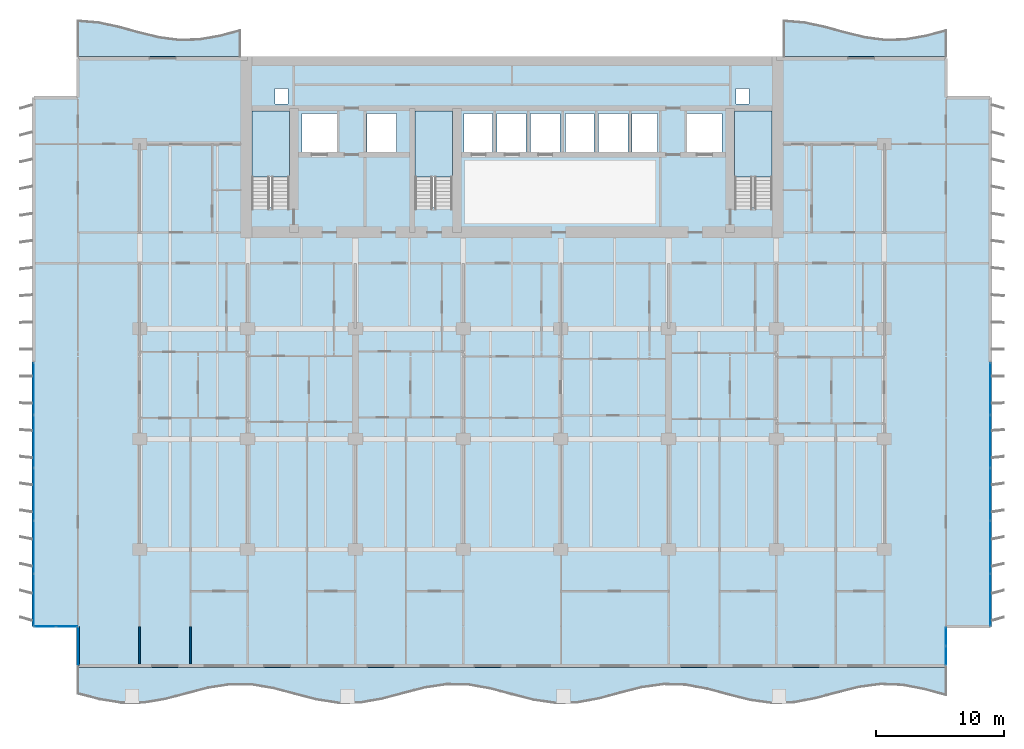
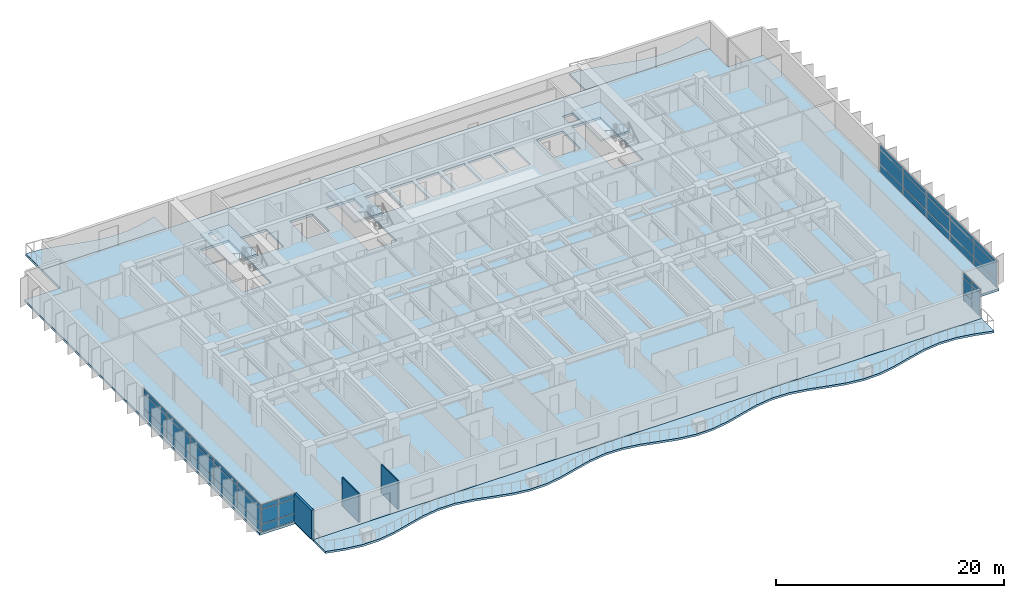
# One storey, part 5 of 17: 42 plates, 7 slabs, 3 walls, 7 elements without a shape of their own.
"""IFC4 building model written with IfcOpenShell, lengths in metres."""

from ifc_helpers import new_model, si_unit, direction, frame, frame_2d, origin, origin_2d, place, context, subcontext, project, spatial, polyline, rectangle, outline, extrude, material, layer, layer_set, type_object, element, aggregate, save


model = new_model("IFC4")

# Units and contexts
model_context = context("Model", 3, precision=1e-05, world=origin(), true_north=direction((0.0, 1.0)))
body_context = subcontext(model_context, "Body", "Model", "MODEL_VIEW")
ifc_project = project(units=[si_unit("LENGTHUNIT", "METRE"), si_unit("AREAUNIT", "SQUARE_METRE"), si_unit("VOLUMEUNIT", "CUBIC_METRE"), si_unit("PLANEANGLEUNIT", "RADIAN"), si_unit("MASSUNIT", "GRAM", prefix="KILO")], contexts=[model_context])

# Site, building, storey
site_placement = place(None, origin())
site = spatial("IfcSite", under=ifc_project, at=site_placement, CompositionType="ELEMENT")
building_placement = place(site_placement, origin())
building = spatial("IfcBuilding", under=site, at=building_placement, Name="Caelmar Bay Residences", CompositionType="ELEMENT")
storey_placement = place(building_placement, frame((0.0, 0.0, 30.0)))
storey = spatial("IfcBuildingStorey", under=building, at=storey_placement, Name="L06", CompositionType="ELEMENT", Elevation=30.0)

# Curtain wall, plates
ifc_material_1 = material(Name="Anodised bronze aluminium 6063-T6 and laminated glass", Category="aluminium")
ifc_layer_1 = layer(ifc_material_1, 0.179931640625)
ifc_layer_set_1 = layer_set([ifc_layer_1], Name="Anodised bronze aluminium 6063-T6 and laminated glass")
curtain_wall_type_1 = type_object("IfcCurtainWallType", Name="CW6-NTC", PredefinedType="NOTDEFINED", material=ifc_layer_set_1)
curtain_wall_1_placement = place(storey_placement, origin())
curtain_wall_1 = element("IfcCurtainWall", 1, at=curtain_wall_1_placement, inside=storey, type_object=curtain_wall_type_1, Name="CW6 curtain wall L06", PredefinedType="NOTDEFINED")
ifc_material_2 = material(Name="Bronze-tinted laminated low-E hurricane glass 28 mm", Category="glass")
ifc_layer_2 = layer(ifc_material_2, 0.028076171875)
ifc_layer_set_2 = layer_set([ifc_layer_2], Name="Bronze-tinted laminated low-E hurricane glass 28 mm")
plate_type = type_object("IfcPlateType", Name="CWP-GLZ28", PredefinedType="CURTAIN_PANEL", material=ifc_layer_set_2)
plate_1_placement = place(storey_placement, frame((2.532470703125, 6.199951171875, 0.080078125), z_axis=(0.0, 0.0, 1.0), x_axis=(1.0, 0.0, 0.0)))
plate_1 = element("IfcPlate", 2, at=plate_1_placement, type_object=plate_type, Name="CW6 panel 1.1", PredefinedType="CURTAIN_PANEL", context=body_context, shape_type="SweptSolid", body=[
    extrude(rectangle(XDim=1.60498046875, YDim=0.028076171875, at=origin_2d()), origin(), (0.0, 0.0, 1.0), 0.780029296875),
])
plate_2_placement = place(storey_placement, frame((2.532470703125, 6.199951171875, 0.93994140625), z_axis=(0.0, 0.0, 1.0), x_axis=(1.0, 0.0, 0.0)))
plate_2 = element("IfcPlate", 3, at=plate_2_placement, type_object=plate_type, Name="CW6 panel 1.2", PredefinedType="CURTAIN_PANEL", context=body_context, shape_type="SweptSolid", body=[
    extrude(rectangle(XDim=1.60498046875, YDim=0.028076171875, at=origin_2d()), origin(), (0.0, 0.0, 1.0), 1.52001953125),
])
plate_3_placement = place(storey_placement, frame((2.532470703125, 6.199951171875, 2.5400390625), z_axis=(0.0, 0.0, 1.0), x_axis=(1.0, 0.0, 0.0)))
plate_3 = element("IfcPlate", 4, at=plate_3_placement, type_object=plate_type, Name="CW6 panel 1.3", PredefinedType="CURTAIN_PANEL", context=body_context, shape_type="SweptSolid", body=[
    extrude(rectangle(XDim=1.60498046875, YDim=0.028076171875, at=origin_2d()), origin(), (0.0, 0.0, 1.0), 0.429931640625),
])
plate_4_placement = place(storey_placement, frame((4.217529296875, 6.199951171875, 0.080078125), z_axis=(0.0, 0.0, 1.0), x_axis=(1.0, 0.0, 0.0)))
plate_4 = element("IfcPlate", 5, at=plate_4_placement, type_object=plate_type, Name="CW6 panel 2.1", PredefinedType="CURTAIN_PANEL", context=body_context, shape_type="SweptSolid", body=[
    extrude(rectangle(XDim=1.60498046875, YDim=0.028076171875, at=origin_2d()), origin(), (0.0, 0.0, 1.0), 0.780029296875),
])
plate_5_placement = place(storey_placement, frame((4.217529296875, 6.199951171875, 0.93994140625), z_axis=(0.0, 0.0, 1.0), x_axis=(1.0, 0.0, 0.0)))
plate_5 = element("IfcPlate", 6, at=plate_5_placement, type_object=plate_type, Name="CW6 panel 2.2", PredefinedType="CURTAIN_PANEL", context=body_context, shape_type="SweptSolid", body=[
    extrude(rectangle(XDim=1.60498046875, YDim=0.028076171875, at=origin_2d()), origin(), (0.0, 0.0, 1.0), 1.52001953125),
])
plate_6_placement = place(storey_placement, frame((4.217529296875, 6.199951171875, 2.5400390625), z_axis=(0.0, 0.0, 1.0), x_axis=(1.0, 0.0, 0.0)))
plate_6 = element("IfcPlate", 7, at=plate_6_placement, type_object=plate_type, Name="CW6 panel 2.3", PredefinedType="CURTAIN_PANEL", context=body_context, shape_type="SweptSolid", body=[
    extrude(rectangle(XDim=1.60498046875, YDim=0.028076171875, at=origin_2d()), origin(), (0.0, 0.0, 1.0), 0.429931640625),
])
aggregate(curtain_wall_1, [plate_1, plate_2, plate_3, plate_4, plate_5, plate_6])

curtain_wall_2_placement = place(storey_placement, origin())
curtain_wall_2 = element("IfcCurtainWall", 8, at=curtain_wall_2_placement, inside=storey, type_object=curtain_wall_type_1, Name="CW6 curtain wall L06", PredefinedType="NOTDEFINED")
plate_7_placement = place(storey_placement, frame((72.699951171875, 3.9326171875, 0.080078125), z_axis=(0.0, 0.0, 1.0), x_axis=(0.0, 1.0, 0.0)))
plate_7 = element("IfcPlate", 9, at=plate_7_placement, type_object=plate_type, Name="CW6 panel 1.1", PredefinedType="CURTAIN_PANEL", context=body_context, shape_type="SweptSolid", body=[
    extrude(rectangle(XDim=1.405029296875, YDim=0.028076171875, at=origin_2d()), origin(), (0.0, 0.0, 1.0), 0.780029296875),
])
plate_8_placement = place(storey_placement, frame((72.699951171875, 3.9326171875, 0.93994140625), z_axis=(0.0, 0.0, 1.0), x_axis=(0.0, 1.0, 0.0)))
plate_8 = element("IfcPlate", 10, at=plate_8_placement, type_object=plate_type, Name="CW6 panel 1.2", PredefinedType="CURTAIN_PANEL", context=body_context, shape_type="SweptSolid", body=[
    extrude(rectangle(XDim=1.405029296875, YDim=0.028076171875, at=origin_2d()), origin(), (0.0, 0.0, 1.0), 1.52001953125),
])
plate_9_placement = place(storey_placement, frame((72.699951171875, 3.9326171875, 2.5400390625), z_axis=(0.0, 0.0, 1.0), x_axis=(0.0, 1.0, 0.0)))
plate_9 = element("IfcPlate", 11, at=plate_9_placement, type_object=plate_type, Name="CW6 panel 1.3", PredefinedType="CURTAIN_PANEL", context=body_context, shape_type="SweptSolid", body=[
    extrude(rectangle(XDim=1.405029296875, YDim=0.028076171875, at=origin_2d()), origin(), (0.0, 0.0, 1.0), 0.429931640625),
])
plate_10_placement = place(storey_placement, frame((72.699951171875, 5.41748046875, 0.080078125), z_axis=(0.0, 0.0, 1.0), x_axis=(0.0, 1.0, 0.0)))
plate_10 = element("IfcPlate", 12, at=plate_10_placement, type_object=plate_type, Name="CW6 panel 2.1", PredefinedType="CURTAIN_PANEL", context=body_context, shape_type="SweptSolid", body=[
    extrude(rectangle(XDim=1.405029296875, YDim=0.028076171875, at=origin_2d()), origin(), (0.0, 0.0, 1.0), 0.780029296875),
])
plate_11_placement = place(storey_placement, frame((72.699951171875, 5.41748046875, 0.93994140625), z_axis=(0.0, 0.0, 1.0), x_axis=(0.0, 1.0, 0.0)))
plate_11 = element("IfcPlate", 13, at=plate_11_placement, type_object=plate_type, Name="CW6 panel 2.2", PredefinedType="CURTAIN_PANEL", context=body_context, shape_type="SweptSolid", body=[
    extrude(rectangle(XDim=1.405029296875, YDim=0.028076171875, at=origin_2d()), origin(), (0.0, 0.0, 1.0), 1.52001953125),
])
plate_12_placement = place(storey_placement, frame((72.699951171875, 5.41748046875, 2.5400390625), z_axis=(0.0, 0.0, 1.0), x_axis=(0.0, 1.0, 0.0)))
plate_12 = element("IfcPlate", 14, at=plate_12_placement, type_object=plate_type, Name="CW6 panel 2.3", PredefinedType="CURTAIN_PANEL", context=body_context, shape_type="SweptSolid", body=[
    extrude(rectangle(XDim=1.405029296875, YDim=0.028076171875, at=origin_2d()), origin(), (0.0, 0.0, 1.0), 0.429931640625),
])
aggregate(curtain_wall_2, [plate_7, plate_8, plate_9, plate_10, plate_11, plate_12])

ifc_layer_3 = layer(ifc_material_1, 0.179931640625)
ifc_layer_set_3 = layer_set([ifc_layer_3], Name="Anodised bronze aluminium 6063-T6 and laminated glass")
curtain_wall_type_2 = type_object("IfcCurtainWallType", Name="CW2-Z1", PredefinedType="NOTDEFINED", material=ifc_layer_set_3)
curtain_wall_3_placement = place(storey_placement, origin())
curtain_wall_3 = element("IfcCurtainWall", 15, at=curtain_wall_3_placement, inside=storey, type_object=curtain_wall_type_2, Name="CW2 curtain wall L06", PredefinedType="NOTDEFINED")
plate_13_placement = place(storey_placement, frame((1.64990234375, 8.280029296875, 0.080078125), z_axis=(0.0, 0.0, 1.0), x_axis=(0.0, 1.0, 0.0)))
plate_13 = element("IfcPlate", 16, at=plate_13_placement, type_object=plate_type, Name="CW2 panel 1.1", PredefinedType="CURTAIN_PANEL", context=body_context, shape_type="SweptSolid", body=[
    extrude(rectangle(XDim=4.0, YDim=0.028076171875, at=origin_2d()), origin(), (0.0, 0.0, 1.0), 0.780029296875),
])
plate_14_placement = place(storey_placement, frame((1.64990234375, 8.280029296875, 0.93994140625), z_axis=(0.0, 0.0, 1.0), x_axis=(0.0, 1.0, 0.0)))
plate_14 = element("IfcPlate", 17, at=plate_14_placement, type_object=plate_type, Name="CW2 panel 1.2", PredefinedType="CURTAIN_PANEL", context=body_context, shape_type="SweptSolid", body=[
    extrude(rectangle(XDim=4.0, YDim=0.028076171875, at=origin_2d()), origin(), (0.0, 0.0, 1.0), 1.52001953125),
])
plate_15_placement = place(storey_placement, frame((1.64990234375, 8.280029296875, 2.5400390625), z_axis=(0.0, 0.0, 1.0), x_axis=(0.0, 1.0, 0.0)))
plate_15 = element("IfcPlate", 18, at=plate_15_placement, type_object=plate_type, Name="CW2 panel 1.3", PredefinedType="CURTAIN_PANEL", context=body_context, shape_type="SweptSolid", body=[
    extrude(rectangle(XDim=4.0, YDim=0.028076171875, at=origin_2d()), origin(), (0.0, 0.0, 1.0), 0.429931640625),
])
plate_16_placement = place(storey_placement, frame((1.64990234375, 12.3798828125, 0.080078125), z_axis=(0.0, 0.0, 1.0), x_axis=(0.0, 1.0, 0.0)))
plate_16 = element("IfcPlate", 19, at=plate_16_placement, type_object=plate_type, Name="CW2 panel 2.1", PredefinedType="CURTAIN_PANEL", context=body_context, shape_type="SweptSolid", body=[
    extrude(rectangle(XDim=4.0400390625, YDim=0.028076171875, at=origin_2d()), origin(), (0.0, 0.0, 1.0), 0.780029296875),
])
plate_17_placement = place(storey_placement, frame((1.64990234375, 12.3798828125, 0.93994140625), z_axis=(0.0, 0.0, 1.0), x_axis=(0.0, 1.0, 0.0)))
plate_17 = element("IfcPlate", 20, at=plate_17_placement, type_object=plate_type, Name="CW2 panel 2.2", PredefinedType="CURTAIN_PANEL", context=body_context, shape_type="SweptSolid", body=[
    extrude(rectangle(XDim=4.0400390625, YDim=0.028076171875, at=origin_2d()), origin(), (0.0, 0.0, 1.0), 1.52001953125),
])
plate_18_placement = place(storey_placement, frame((1.64990234375, 12.3798828125, 2.5400390625), z_axis=(0.0, 0.0, 1.0), x_axis=(0.0, 1.0, 0.0)))
plate_18 = element("IfcPlate", 21, at=plate_18_placement, type_object=plate_type, Name="CW2 panel 2.3", PredefinedType="CURTAIN_PANEL", context=body_context, shape_type="SweptSolid", body=[
    extrude(rectangle(XDim=4.0400390625, YDim=0.028076171875, at=origin_2d()), origin(), (0.0, 0.0, 1.0), 0.429931640625),
])
plate_19_placement = place(storey_placement, frame((1.64990234375, 16.5, 0.080078125), z_axis=(0.0, 0.0, 1.0), x_axis=(0.0, 1.0, 0.0)))
plate_19 = element("IfcPlate", 22, at=plate_19_placement, type_object=plate_type, Name="CW2 panel 3.1", PredefinedType="CURTAIN_PANEL", context=body_context, shape_type="SweptSolid", body=[
    extrude(rectangle(XDim=4.0400390625, YDim=0.028076171875, at=origin_2d()), origin(), (0.0, 0.0, 1.0), 0.780029296875),
])
plate_20_placement = place(storey_placement, frame((1.64990234375, 16.5, 0.93994140625), z_axis=(0.0, 0.0, 1.0), x_axis=(0.0, 1.0, 0.0)))
plate_20 = element("IfcPlate", 23, at=plate_20_placement, type_object=plate_type, Name="CW2 panel 3.2", PredefinedType="CURTAIN_PANEL", context=body_context, shape_type="SweptSolid", body=[
    extrude(rectangle(XDim=4.0400390625, YDim=0.028076171875, at=origin_2d()), origin(), (0.0, 0.0, 1.0), 1.52001953125),
])
plate_21_placement = place(storey_placement, frame((1.64990234375, 16.5, 2.5400390625), z_axis=(0.0, 0.0, 1.0), x_axis=(0.0, 1.0, 0.0)))
plate_21 = element("IfcPlate", 24, at=plate_21_placement, type_object=plate_type, Name="CW2 panel 3.3", PredefinedType="CURTAIN_PANEL", context=body_context, shape_type="SweptSolid", body=[
    extrude(rectangle(XDim=4.0400390625, YDim=0.028076171875, at=origin_2d()), origin(), (0.0, 0.0, 1.0), 0.429931640625),
])
plate_22_placement = place(storey_placement, frame((1.64990234375, 20.6201171875, 0.080078125), z_axis=(0.0, 0.0, 1.0), x_axis=(0.0, 1.0, 0.0)))
plate_22 = element("IfcPlate", 25, at=plate_22_placement, type_object=plate_type, Name="CW2 panel 4.1", PredefinedType="CURTAIN_PANEL", context=body_context, shape_type="SweptSolid", body=[
    extrude(rectangle(XDim=4.0400390625, YDim=0.028076171875, at=origin_2d()), origin(), (0.0, 0.0, 1.0), 0.780029296875),
])
plate_23_placement = place(storey_placement, frame((1.64990234375, 20.6201171875, 0.93994140625), z_axis=(0.0, 0.0, 1.0), x_axis=(0.0, 1.0, 0.0)))
plate_23 = element("IfcPlate", 26, at=plate_23_placement, type_object=plate_type, Name="CW2 panel 4.2", PredefinedType="CURTAIN_PANEL", context=body_context, shape_type="SweptSolid", body=[
    extrude(rectangle(XDim=4.0400390625, YDim=0.028076171875, at=origin_2d()), origin(), (0.0, 0.0, 1.0), 1.52001953125),
])
plate_24_placement = place(storey_placement, frame((1.64990234375, 20.6201171875, 2.5400390625), z_axis=(0.0, 0.0, 1.0), x_axis=(0.0, 1.0, 0.0)))
plate_24 = element("IfcPlate", 27, at=plate_24_placement, type_object=plate_type, Name="CW2 panel 4.3", PredefinedType="CURTAIN_PANEL", context=body_context, shape_type="SweptSolid", body=[
    extrude(rectangle(XDim=4.0400390625, YDim=0.028076171875, at=origin_2d()), origin(), (0.0, 0.0, 1.0), 0.429931640625),
])
plate_25_placement = place(storey_placement, frame((1.64990234375, 24.719970703125, 0.080078125), z_axis=(0.0, 0.0, 1.0), x_axis=(0.0, 1.0, 0.0)))
plate_25 = element("IfcPlate", 28, at=plate_25_placement, type_object=plate_type, Name="CW2 panel 5.1", PredefinedType="CURTAIN_PANEL", context=body_context, shape_type="SweptSolid", body=[
    extrude(rectangle(XDim=4.0, YDim=0.028076171875, at=origin_2d()), origin(), (0.0, 0.0, 1.0), 0.780029296875),
])
plate_26_placement = place(storey_placement, frame((1.64990234375, 24.719970703125, 0.93994140625), z_axis=(0.0, 0.0, 1.0), x_axis=(0.0, 1.0, 0.0)))
plate_26 = element("IfcPlate", 29, at=plate_26_placement, type_object=plate_type, Name="CW2 panel 5.2", PredefinedType="CURTAIN_PANEL", context=body_context, shape_type="SweptSolid", body=[
    extrude(rectangle(XDim=4.0, YDim=0.028076171875, at=origin_2d()), origin(), (0.0, 0.0, 1.0), 1.52001953125),
])
plate_27_placement = place(storey_placement, frame((1.64990234375, 24.719970703125, 2.5400390625), z_axis=(0.0, 0.0, 1.0), x_axis=(0.0, 1.0, 0.0)))
plate_27 = element("IfcPlate", 30, at=plate_27_placement, type_object=plate_type, Name="CW2 panel 5.3", PredefinedType="CURTAIN_PANEL", context=body_context, shape_type="SweptSolid", body=[
    extrude(rectangle(XDim=4.0, YDim=0.028076171875, at=origin_2d()), origin(), (0.0, 0.0, 1.0), 0.429931640625),
])
aggregate(curtain_wall_3, [plate_13, plate_14, plate_15, plate_16, plate_17, plate_18, plate_19, plate_20, plate_21, plate_22, plate_23, plate_24, plate_25, plate_26, plate_27])

curtain_wall_4_placement = place(storey_placement, origin())
curtain_wall_4 = element("IfcCurtainWall", 31, at=curtain_wall_4_placement, inside=storey, type_object=curtain_wall_type_2, Name="CW2 curtain wall L06", PredefinedType="NOTDEFINED")
plate_28_placement = place(storey_placement, frame((76.14990234375, 24.719970703125, 0.080078125), z_axis=(0.0, 0.0, 1.0), x_axis=(0.0, -1.0, 0.0)))
plate_28 = element("IfcPlate", 32, at=plate_28_placement, type_object=plate_type, Name="CW2 panel 1.1", PredefinedType="CURTAIN_PANEL", context=body_context, shape_type="SweptSolid", body=[
    extrude(rectangle(XDim=4.0, YDim=0.028076171875, at=origin_2d()), origin(), (0.0, 0.0, 1.0), 0.780029296875),
])
plate_29_placement = place(storey_placement, frame((76.14990234375, 24.719970703125, 0.93994140625), z_axis=(0.0, 0.0, 1.0), x_axis=(0.0, -1.0, 0.0)))
plate_29 = element("IfcPlate", 33, at=plate_29_placement, type_object=plate_type, Name="CW2 panel 1.2", PredefinedType="CURTAIN_PANEL", context=body_context, shape_type="SweptSolid", body=[
    extrude(rectangle(XDim=4.0, YDim=0.028076171875, at=origin_2d()), origin(), (0.0, 0.0, 1.0), 1.52001953125),
])
plate_30_placement = place(storey_placement, frame((76.14990234375, 24.719970703125, 2.5400390625), z_axis=(0.0, 0.0, 1.0), x_axis=(0.0, -1.0, 0.0)))
plate_30 = element("IfcPlate", 34, at=plate_30_placement, type_object=plate_type, Name="CW2 panel 1.3", PredefinedType="CURTAIN_PANEL", context=body_context, shape_type="SweptSolid", body=[
    extrude(rectangle(XDim=4.0, YDim=0.028076171875, at=origin_2d()), origin(), (0.0, 0.0, 1.0), 0.429931640625),
])
plate_31_placement = place(storey_placement, frame((76.14990234375, 20.6201171875, 0.080078125), z_axis=(0.0, 0.0, 1.0), x_axis=(0.0, -1.0, 0.0)))
plate_31 = element("IfcPlate", 35, at=plate_31_placement, type_object=plate_type, Name="CW2 panel 2.1", PredefinedType="CURTAIN_PANEL", context=body_context, shape_type="SweptSolid", body=[
    extrude(rectangle(XDim=4.0400390625, YDim=0.028076171875, at=origin_2d()), origin(), (0.0, 0.0, 1.0), 0.780029296875),
])
plate_32_placement = place(storey_placement, frame((76.14990234375, 20.6201171875, 0.93994140625), z_axis=(0.0, 0.0, 1.0), x_axis=(0.0, -1.0, 0.0)))
plate_32 = element("IfcPlate", 36, at=plate_32_placement, type_object=plate_type, Name="CW2 panel 2.2", PredefinedType="CURTAIN_PANEL", context=body_context, shape_type="SweptSolid", body=[
    extrude(rectangle(XDim=4.0400390625, YDim=0.028076171875, at=origin_2d()), origin(), (0.0, 0.0, 1.0), 1.52001953125),
])
plate_33_placement = place(storey_placement, frame((76.14990234375, 20.6201171875, 2.5400390625), z_axis=(0.0, 0.0, 1.0), x_axis=(0.0, -1.0, 0.0)))
plate_33 = element("IfcPlate", 37, at=plate_33_placement, type_object=plate_type, Name="CW2 panel 2.3", PredefinedType="CURTAIN_PANEL", context=body_context, shape_type="SweptSolid", body=[
    extrude(rectangle(XDim=4.0400390625, YDim=0.028076171875, at=origin_2d()), origin(), (0.0, 0.0, 1.0), 0.429931640625),
])
plate_34_placement = place(storey_placement, frame((76.14990234375, 16.5, 0.080078125), z_axis=(0.0, 0.0, 1.0), x_axis=(0.0, -1.0, 0.0)))
plate_34 = element("IfcPlate", 38, at=plate_34_placement, type_object=plate_type, Name="CW2 panel 3.1", PredefinedType="CURTAIN_PANEL", context=body_context, shape_type="SweptSolid", body=[
    extrude(rectangle(XDim=4.0400390625, YDim=0.028076171875, at=origin_2d()), origin(), (0.0, 0.0, 1.0), 0.780029296875),
])
plate_35_placement = place(storey_placement, frame((76.14990234375, 16.5, 0.93994140625), z_axis=(0.0, 0.0, 1.0), x_axis=(0.0, -1.0, 0.0)))
plate_35 = element("IfcPlate", 39, at=plate_35_placement, type_object=plate_type, Name="CW2 panel 3.2", PredefinedType="CURTAIN_PANEL", context=body_context, shape_type="SweptSolid", body=[
    extrude(rectangle(XDim=4.0400390625, YDim=0.028076171875, at=origin_2d()), origin(), (0.0, 0.0, 1.0), 1.52001953125),
])
plate_36_placement = place(storey_placement, frame((76.14990234375, 16.5, 2.5400390625), z_axis=(0.0, 0.0, 1.0), x_axis=(0.0, -1.0, 0.0)))
plate_36 = element("IfcPlate", 40, at=plate_36_placement, type_object=plate_type, Name="CW2 panel 3.3", PredefinedType="CURTAIN_PANEL", context=body_context, shape_type="SweptSolid", body=[
    extrude(rectangle(XDim=4.0400390625, YDim=0.028076171875, at=origin_2d()), origin(), (0.0, 0.0, 1.0), 0.429931640625),
])
plate_37_placement = place(storey_placement, frame((76.14990234375, 12.3798828125, 0.080078125), z_axis=(0.0, 0.0, 1.0), x_axis=(0.0, -1.0, 0.0)))
plate_37 = element("IfcPlate", 41, at=plate_37_placement, type_object=plate_type, Name="CW2 panel 4.1", PredefinedType="CURTAIN_PANEL", context=body_context, shape_type="SweptSolid", body=[
    extrude(rectangle(XDim=4.0400390625, YDim=0.028076171875, at=origin_2d()), origin(), (0.0, 0.0, 1.0), 0.780029296875),
])
plate_38_placement = place(storey_placement, frame((76.14990234375, 12.3798828125, 0.93994140625), z_axis=(0.0, 0.0, 1.0), x_axis=(0.0, -1.0, 0.0)))
plate_38 = element("IfcPlate", 42, at=plate_38_placement, type_object=plate_type, Name="CW2 panel 4.2", PredefinedType="CURTAIN_PANEL", context=body_context, shape_type="SweptSolid", body=[
    extrude(rectangle(XDim=4.0400390625, YDim=0.028076171875, at=origin_2d()), origin(), (0.0, 0.0, 1.0), 1.52001953125),
])
plate_39_placement = place(storey_placement, frame((76.14990234375, 12.3798828125, 2.5400390625), z_axis=(0.0, 0.0, 1.0), x_axis=(0.0, -1.0, 0.0)))
plate_39 = element("IfcPlate", 43, at=plate_39_placement, type_object=plate_type, Name="CW2 panel 4.3", PredefinedType="CURTAIN_PANEL", context=body_context, shape_type="SweptSolid", body=[
    extrude(rectangle(XDim=4.0400390625, YDim=0.028076171875, at=origin_2d()), origin(), (0.0, 0.0, 1.0), 0.429931640625),
])
plate_40_placement = place(storey_placement, frame((76.14990234375, 8.280029296875, 0.080078125), z_axis=(0.0, 0.0, 1.0), x_axis=(0.0, -1.0, 0.0)))
plate_40 = element("IfcPlate", 44, at=plate_40_placement, type_object=plate_type, Name="CW2 panel 5.1", PredefinedType="CURTAIN_PANEL", context=body_context, shape_type="SweptSolid", body=[
    extrude(rectangle(XDim=4.0, YDim=0.028076171875, at=origin_2d()), origin(), (0.0, 0.0, 1.0), 0.780029296875),
])
plate_41_placement = place(storey_placement, frame((76.14990234375, 8.280029296875, 0.93994140625), z_axis=(0.0, 0.0, 1.0), x_axis=(0.0, -1.0, 0.0)))
plate_41 = element("IfcPlate", 45, at=plate_41_placement, type_object=plate_type, Name="CW2 panel 5.2", PredefinedType="CURTAIN_PANEL", context=body_context, shape_type="SweptSolid", body=[
    extrude(rectangle(XDim=4.0, YDim=0.028076171875, at=origin_2d()), origin(), (0.0, 0.0, 1.0), 1.52001953125),
])
plate_42_placement = place(storey_placement, frame((76.14990234375, 8.280029296875, 2.5400390625), z_axis=(0.0, 0.0, 1.0), x_axis=(0.0, -1.0, 0.0)))
plate_42 = element("IfcPlate", 46, at=plate_42_placement, type_object=plate_type, Name="CW2 panel 5.3", PredefinedType="CURTAIN_PANEL", context=body_context, shape_type="SweptSolid", body=[
    extrude(rectangle(XDim=4.0, YDim=0.028076171875, at=origin_2d()), origin(), (0.0, 0.0, 1.0), 0.429931640625),
])
aggregate(curtain_wall_4, [plate_28, plate_29, plate_30, plate_31, plate_32, plate_33, plate_34, plate_35, plate_36, plate_37, plate_38, plate_39, plate_40, plate_41, plate_42])

# Slabs
ifc_material_3 = material(Name="Concrete f'c 40 MPa (6,000 psi)", Category="concrete")
ifc_layer_4 = layer(ifc_material_3, 0.219970703125)
ifc_layer_set_4 = layer_set([ifc_layer_4], Name="Concrete f'c 40 MPa (6,000 psi)")
slab_type_1 = type_object("IfcSlabType", Name="SLB-BAL-220", PredefinedType="FLOOR", material=ifc_layer_set_4)
slab_1_placement = place(storey_placement, frame((0.0, 0.0, -0.219970703125)))
element("IfcSlab", 47, at=slab_1_placement, inside=storey, type_object=slab_type_1, Name="L06 Sinusoidal Tree-Balcony Slab south", PredefinedType="FLOOR", context=body_context, shape_type="SweptSolid", body=[
    extrude(outline(polyline([(5.10009765625, 0.89990234375), (6.7900390625, 0.456787109375), (8.47998046875, 0.18505859375), (10.169921875, 0.189453125), (11.860107421875, 0.46826171875), (13.550048828125, 0.9140625), (15.239990234375, 1.354248046875), (16.929931640625, 1.619140625), (18.6201171875, 1.60595703125), (20.31005859375, 1.3203125), (22.0, 0.8720703125), (23.68994140625, 0.4345703125), (25.3798828125, 0.177001953125), (27.070068359375, 0.19873046875), (28.760009765625, 0.491455078125), (30.449951171875, 0.942138671875), (32.139892578125, 1.376220703125), (33.830078125, 1.626708984375), (35.52001953125, 1.59619140625), (37.2099609375, 1.296630859375), (38.89990234375, 0.843994140625), (40.590087890625, 0.412841796875), (42.280029296875, 0.170166015625), (43.969970703125, 0.209228515625), (45.659912109375, 0.515380859375), (47.35009765625, 0.969970703125), (49.0400390625, 1.397705078125), (50.72998046875, 1.633056640625), (52.419921875, 1.585205078125), (54.110107421875, 1.272705078125), (55.800048828125, 0.81591796875), (57.489990234375, 0.391845703125), (59.179931640625, 0.1640625), (60.8701171875, 0.220703125), (62.56005859375, 0.539794921875), (64.25, 0.997802734375), (65.93994140625, 1.418212890625), (67.6298828125, 1.638427734375), (69.320068359375, 1.5732421875), (71.010009765625, 1.248046875), (72.699951171875, 0.7880859375), (72.699951171875, 3.0), (5.10009765625, 3.0), (5.10009765625, 0.89990234375)])), origin(), (0.0, 0.0, 1.0), 0.219970703125),
])
slab_2_placement = place(storey_placement, frame((0.0, 0.0, -0.219970703125)))
element("IfcSlab", 48, at=slab_2_placement, inside=storey, type_object=slab_type_1, Name="L06 Sinusoidal Tree-Balcony Slab north_west", PredefinedType="FLOOR", context=body_context, shape_type="SweptSolid", body=[
    extrude(outline(polyline([(5.10009765625, 50.60009765625), (17.699951171875, 50.60009765625), (17.699951171875, 52.699951171875), (16.125, 52.283203125), (14.550048828125, 52.007080078125), (12.97509765625, 51.96435546875), (11.39990234375, 52.169677734375), (9.824951171875, 52.5537109375), (8.25, 52.987060546875), (6.675048828125, 53.323486328125), (5.10009765625, 53.449951171875), (5.10009765625, 50.60009765625)])), origin(), (0.0, 0.0, 1.0), 0.219970703125),
])
slab_3_placement = place(storey_placement, frame((0.0, 0.0, -0.219970703125)))
element("IfcSlab", 49, at=slab_3_placement, inside=storey, type_object=slab_type_1, Name="L06 Sinusoidal Tree-Balcony Slab north_east", PredefinedType="FLOOR", context=body_context, shape_type="SweptSolid", body=[
    extrude(outline(polyline([(60.10009765625, 50.60009765625), (72.699951171875, 50.60009765625), (72.699951171875, 52.699951171875), (71.125, 52.283203125), (69.550048828125, 52.007080078125), (67.97509765625, 51.96435546875), (66.39990234375, 52.169677734375), (64.824951171875, 52.5537109375), (63.25, 52.987060546875), (61.675048828125, 53.323486328125), (60.10009765625, 53.449951171875), (60.10009765625, 50.60009765625)])), origin(), (0.0, 0.0, 1.0), 0.219970703125),
])

# Stair, slab
stair_type = type_object("IfcStairType", Name="ST-TYP-165", PredefinedType="HALF_TURN_STAIR", material=ifc_material_3)
stair_1_placement = place(storey_placement, origin())
stair_1 = element("IfcStair", 50, at=stair_1_placement, inside=storey, type_object=stair_type, Name="L06 West Smokeproof Exit Stair ST1", PredefinedType="HALF_TURN_STAIR")
ifc_layer_5 = layer(ifc_material_3, 0.199951171875)
ifc_layer_set_5 = layer_set([ifc_layer_5], Name="Concrete f'c 40 MPa (6,000 psi)")
slab_type_2 = type_object("IfcSlabType", Name="SLB-LND-200", PredefinedType="LANDING", material=ifc_layer_set_5)
slab_4_placement = place(storey_placement, frame((0.0, 0.0, 1.449951171875)))
slab_4 = element("IfcSlab", 51, at=slab_4_placement, type_object=slab_type_2, Name="ST1 landing 1", PredefinedType="LANDING", context=body_context, shape_type="SweptSolid", body=[
    extrude(outline(polyline([(21.550048828125, 41.219970703125), (21.550048828125, 46.35009765625), (18.64990234375, 46.35009765625), (18.64990234375, 41.219970703125), (21.550048828125, 41.219970703125)])), origin(), (0.0, 0.0, 1.0), 0.199951171875),
])
aggregate(stair_1, [slab_4])

stair_2_placement = place(storey_placement, origin())
stair_2 = element("IfcStair", 52, at=stair_2_placement, inside=storey, type_object=stair_type, Name="L06 East Smokeproof Exit Stair ST2", PredefinedType="HALF_TURN_STAIR")
slab_5_placement = place(storey_placement, frame((0.0, 0.0, 1.449951171875)))
slab_5 = element("IfcSlab", 53, at=slab_5_placement, type_object=slab_type_2, Name="ST2 landing 1", PredefinedType="LANDING", context=body_context, shape_type="SweptSolid", body=[
    extrude(outline(polyline([(59.14990234375, 41.219970703125), (59.14990234375, 46.35009765625), (56.25, 46.35009765625), (56.25, 41.219970703125), (59.14990234375, 41.219970703125)])), origin(), (0.0, 0.0, 1.0), 0.199951171875),
])
aggregate(stair_2, [slab_5])

stair_3_placement = place(storey_placement, origin())
stair_3 = element("IfcStair", 54, at=stair_3_placement, inside=storey, type_object=stair_type, Name="L06 Central Smokeproof Exit Stair ST3", PredefinedType="HALF_TURN_STAIR")
slab_6_placement = place(storey_placement, frame((0.0, 0.0, 1.449951171875)))
slab_6 = element("IfcSlab", 55, at=slab_6_placement, type_object=slab_type_2, Name="ST3 landing 1", PredefinedType="LANDING", context=body_context, shape_type="SweptSolid", body=[
    extrude(outline(polyline([(34.25, 41.219970703125), (34.25, 46.35009765625), (31.35009765625, 46.35009765625), (31.35009765625, 41.219970703125), (34.25, 41.219970703125)])), origin(), (0.0, 0.0, 1.0), 0.199951171875),
])
aggregate(stair_3, [slab_6])

# Slab
ifc_layer_6 = layer(ifc_material_3, 0.25)
ifc_layer_set_6 = layer_set([ifc_layer_6], Name="Concrete f'c 40 MPa (6,000 psi)")
slab_type_3 = type_object("IfcSlabType", Name="SLB-RES-250", PredefinedType="FLOOR", material=ifc_layer_set_6)
slab_7_placement = place(storey_placement, frame((0.0, 0.0, -0.25)))
element("IfcSlab", 56, at=slab_7_placement, inside=storey, type_object=slab_type_3, Name="L06 Structural Floor Slab", PredefinedType="FLOOR", context=body_context, shape_type="SweptSolid", body=[
    extrude(outline(polyline([(5.10009765625, 3.0), (72.699951171875, 3.0), (72.699951171875, 6.199951171875), (76.300048828125, 6.199951171875), (76.300048828125, 47.39990234375), (72.699951171875, 47.39990234375), (72.699951171875, 50.60009765625), (5.10009765625, 50.60009765625), (5.10009765625, 47.39990234375), (1.5, 47.39990234375), (1.5, 6.199951171875), (5.10009765625, 6.199951171875), (5.10009765625, 3.0)]), holes=[polyline([(18.64990234375, 38.85009765625), (21.550048828125, 38.85009765625), (21.550048828125, 46.35009765625), (18.64990234375, 46.35009765625), (18.64990234375, 38.85009765625)]), polyline([(56.25, 38.85009765625), (59.14990234375, 38.85009765625), (59.14990234375, 46.35009765625), (56.25, 46.35009765625), (56.25, 38.85009765625)]), polyline([(31.35009765625, 38.85009765625), (34.25, 38.85009765625), (34.25, 46.35009765625), (31.35009765625, 46.35009765625), (31.35009765625, 38.85009765625)]), polyline([(22.550048828125, 43.050048828125), (25.25, 43.050048828125), (25.25, 46.14990234375), (22.550048828125, 46.14990234375), (22.550048828125, 43.050048828125)]), polyline([(52.550048828125, 43.050048828125), (55.25, 43.050048828125), (55.25, 46.14990234375), (52.550048828125, 46.14990234375), (52.550048828125, 43.050048828125)]), polyline([(35.14990234375, 43.14990234375), (37.39990234375, 43.14990234375), (37.39990234375, 46.14990234375), (35.14990234375, 46.14990234375), (35.14990234375, 43.14990234375)]), polyline([(37.75, 43.14990234375), (40.0, 43.14990234375), (40.0, 46.14990234375), (37.75, 46.14990234375), (37.75, 43.14990234375)]), polyline([(40.35009765625, 43.14990234375), (42.64990234375, 43.14990234375), (42.64990234375, 46.14990234375), (40.35009765625, 46.14990234375), (40.35009765625, 43.14990234375)]), polyline([(43.050048828125, 43.14990234375), (45.300048828125, 43.14990234375), (45.300048828125, 46.14990234375), (43.050048828125, 46.14990234375), (43.050048828125, 43.14990234375)]), polyline([(45.64990234375, 43.14990234375), (47.949951171875, 43.14990234375), (47.949951171875, 46.14990234375), (45.64990234375, 46.14990234375), (45.64990234375, 43.14990234375)]), polyline([(48.25, 43.14990234375), (50.25, 43.14990234375), (50.25, 46.14990234375), (48.25, 46.14990234375), (48.25, 43.14990234375)]), polyline([(27.60009765625, 43.14990234375), (29.89990234375, 43.14990234375), (29.89990234375, 46.14990234375), (27.60009765625, 46.14990234375), (27.60009765625, 43.14990234375)]), polyline([(20.449951171875, 46.89990234375), (21.449951171875, 46.89990234375), (21.449951171875, 48.10009765625), (20.449951171875, 48.10009765625), (20.449951171875, 46.89990234375)]), polyline([(56.35009765625, 46.89990234375), (57.35009765625, 46.89990234375), (57.35009765625, 48.10009765625), (56.35009765625, 48.10009765625), (56.35009765625, 46.89990234375)])]), origin(), (0.0, 0.0, 1.0), 0.25),
])

# Walls
ifc_material_4 = material(Name="Precast concrete f'c 40 MPa (6,000 psi)", Category="concrete")
ifc_layer_7 = layer(ifc_material_4, 0.25)
ifc_layer_set_7 = layer_set([ifc_layer_7], Name="Precast concrete f'c 40 MPa (6,000 psi)")
wall_type_1 = type_object("IfcWallType", Name="W-EXT-250", PredefinedType="ELEMENTEDWALL", material=ifc_layer_set_7)
wall_placement = place(storey_placement, frame((5.10009765625, 6.199951171875, 0.0), z_axis=(0.0, 0.0, 1.0), x_axis=(0.0, -1.0, 0.0)))
element("IfcWall", 57, at=wall_placement, inside=storey, type_object=wall_type_1, Name="L06 SW Notch Return Wall", PredefinedType="ELEMENTEDWALL", context=body_context, shape_type="SweptSolid", body=[
    extrude(rectangle(XDim=3.050048828125, YDim=0.25, at=frame_2d((1.52490234375, 0.0))), origin(), (0.0, 0.0, 1.0), 3.050048828125),
])
ifc_material_5 = material(Name="Acoustic metal-stud gypsum partition 120 mm")
ifc_layer_8 = layer(ifc_material_5, 0.1201171875)
ifc_layer_set_8 = layer_set([ifc_layer_8], Name="Acoustic metal-stud gypsum partition 120 mm")
wall_type_2 = type_object("IfcWallType", Name="W-PRT-120", PredefinedType="PARTITIONING", material=ifc_layer_set_8)
for number, where, z_axis, x_axis, name in (
    (58, (9.89990234375, 3.294921875, 0.0), (0.0, 0.0, 1.0), (0.0, 1.0, 0.0), "L06 Partition Wall V007"),
    (59, (13.847900390625, 3.294921875, 0.0), (0.0, 0.0, 1.0), (0.0, 1.0, 0.0), "L06 Partition Wall V013"),
):
    element("IfcWall", number, at=place(storey_placement, frame(where, z_axis=z_axis, x_axis=x_axis)), inside=storey, type_object=wall_type_2, Name=name, PredefinedType="PARTITIONING", context=body_context, shape_type="SweptSolid", body=[
        extrude(rectangle(XDim=2.905029296875, YDim=0.1201171875, at=frame_2d((1.45263671875, 0.0))), origin(), (0.0, 0.0, 1.0), 3.050048828125),
    ])

save(model, "model.ifc")
